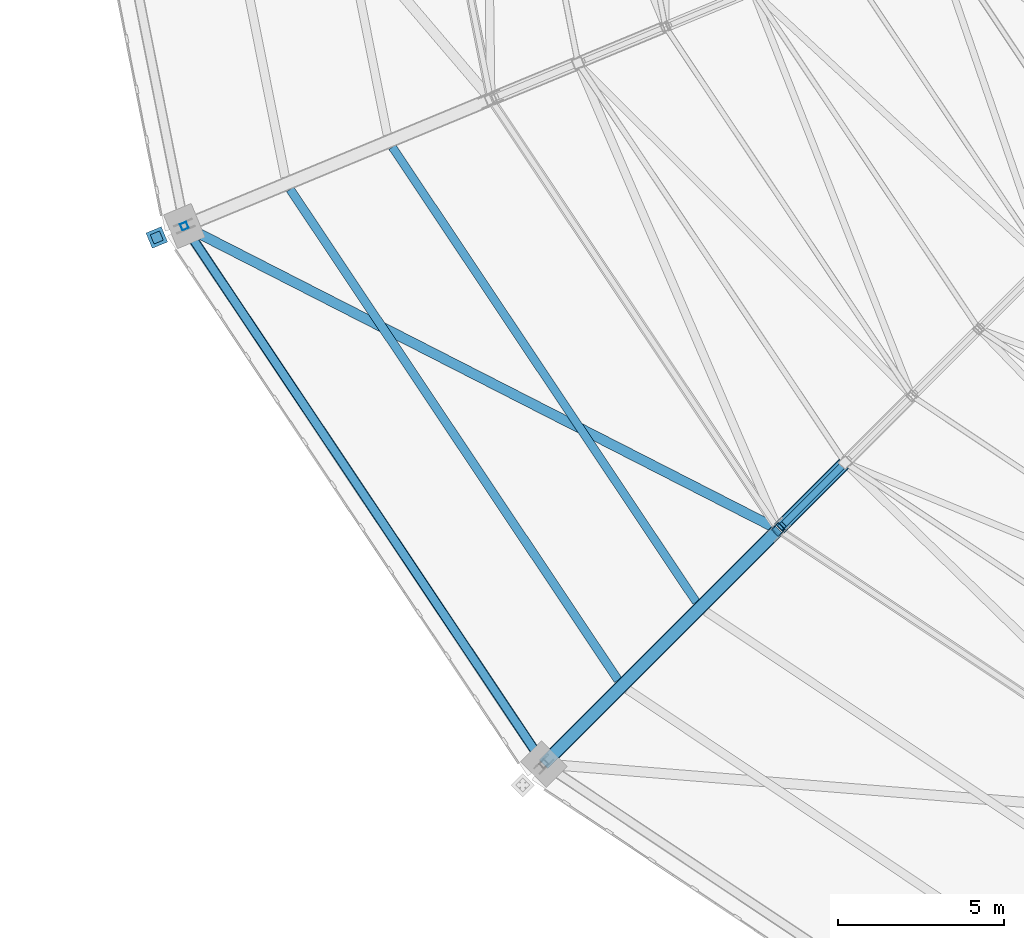
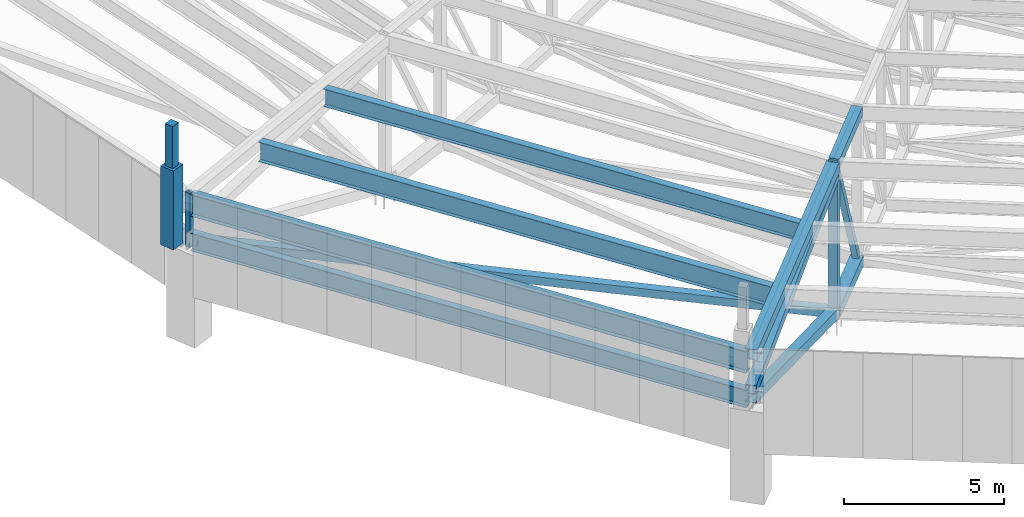
# One storey, part 3 of 278: 9 members, 6 beams.
"""IFC4 building model written with IfcOpenShell, lengths in metres."""

from ifc_helpers import new_model, si_unit, direction, frame, origin, origin_2d, place, context, subcontext, project, spatial, rectangle, hollow_rectangle, i_section, extrude, material, material_profile, profile_set, type_object, element, save


model = new_model("IFC4")

# Units and contexts
model_context = context("Model", 3, precision=1e-05, world=origin(), true_north=direction((0.0, 1.0)))
body_context = subcontext(model_context, "Body", "Model", "MODEL_VIEW")
ifc_project = project(units=[si_unit("LENGTHUNIT", "METRE"), si_unit("AREAUNIT", "SQUARE_METRE"), si_unit("VOLUMEUNIT", "CUBIC_METRE"), si_unit("PLANEANGLEUNIT", "RADIAN"), si_unit("MASSUNIT", "GRAM", prefix="KILO")], contexts=[model_context])

# Site, building, storey
site_placement = place(None, origin())
site = spatial("IfcSite", under=ifc_project, at=site_placement, CompositionType="ELEMENT")
building_placement = place(site_placement, origin())
building = spatial("IfcBuilding", under=site, at=building_placement, Name="Ogive Plaza Stadium", CompositionType="ELEMENT")
storey_placement = place(building_placement, frame((0.0, 0.0, 29.0)))
storey = spatial("IfcBuildingStorey", under=building, at=storey_placement, Name="Roof", CompositionType="ELEMENT", Elevation=29.0)

# Members
ifc_material_1 = material(Name="Concrete C45/55 precast", Category="concrete")
ifc_material_profile_1 = material_profile(ifc_material_1, rectangle(XDim=0.5, YDim=0.5, at=origin_2d()), Name="RC 500x500")
ifc_profile_set_1 = profile_set([ifc_material_profile_1], Name="Concrete C45/55 precast")
member_type_1 = type_object("IfcMemberType", Name="Precast pinnacle 500x500", PredefinedType="POST", material=ifc_profile_set_1)
member_1_placement = place(storey_placement, frame((-81.025390625, -71.978515625, 4.0), z_axis=(0.0, 0.0, 1.0), x_axis=(0.382683432365, -0.923879532511, 0.0)))
element("IfcMember", 1, at=member_1_placement, inside=storey, type_object=member_type_1, Name="PINNACLE R20", PredefinedType="POST", context=body_context, shape_type="SweptSolid", body=[
    extrude(rectangle(XDim=0.5, YDim=0.5, at=origin_2d()), origin(), (0.0, 0.0, 1.0), 3.0),
])
ifc_material_2 = material(Name="Concrete C45/55 precast", Category="concrete")
ifc_material_profile_2 = material_profile(ifc_material_2, rectangle(XDim=0.300048828125, YDim=0.300048828125, at=origin_2d()), Name="RC 300x300")
ifc_profile_set_2 = profile_set([ifc_material_profile_2], Name="Concrete C45/55 precast")
member_type_2 = type_object("IfcMemberType", Name="Precast spire 300x300", PredefinedType="MEMBER", material=ifc_profile_set_2)
member_2_placement = place(storey_placement, frame((-81.025390625, -71.978515625, 7.0), z_axis=(0.0, 0.0, 1.0), x_axis=(0.382683432365, -0.923879532511, 0.0)))
element("IfcMember", 2, at=member_2_placement, inside=storey, type_object=member_type_2, Name="SPIRE R20", PredefinedType="MEMBER", context=body_context, shape_type="SweptSolid", body=[
    extrude(rectangle(XDim=0.300048828125, YDim=0.300048828125, at=origin_2d()), origin(), (0.0, 0.0, 1.0), 1.60009765625),
])
ifc_material_3 = material(Name="Steel ASTM A500 Grade C", Category="steel")
ifc_material_profile_3 = material_profile(ifc_material_3, hollow_rectangle(XDim=0.3046875, YDim=0.3046875, WallThickness=0.0087890625, at=origin_2d()), Name="HSS12X12X3/8")
ifc_profile_set_3 = profile_set([ifc_material_profile_3], Name="Steel ASTM A500 Grade C")
member_type_3 = type_object("IfcMemberType", Name="Roof plan brace HSS12X12X3/8", PredefinedType="BRACE", material=ifc_profile_set_3)
member_3_placement = place(storey_placement, frame((-62.444091796875, -80.70263671875, 0.234130859375), z_axis=(-0.877506938621, 0.448328226309, 0.170245041535), x_axis=(-0.454969988029, -0.890506771447, 0.0)))
element("IfcMember", 3, at=member_3_placement, inside=storey, type_object=member_type_3, Name="ROOF BRACE B19 11", PredefinedType="BRACE", context=body_context, shape_type="SweptSolid", body=[
    extrude(hollow_rectangle(XDim=0.3046875, YDim=0.3046875, WallThickness=0.0087890625, at=origin_2d()), origin(), (0.0, 0.0, 1.0), 19.99072265625),
])
ifc_material_4 = material(Name="Steel ASTM A992 Grade 50", Category="steel")
ifc_material_profile_4 = material_profile(ifc_material_4, i_section(OverallWidth=0.2529296875, OverallDepth=0.678466796875, WebThickness=0.01171875, FlangeThickness=0.016357421875, at=origin_2d()), Name="W27X84")
ifc_profile_set_4 = profile_set([ifc_material_profile_4], Name="Steel ASTM A992 Grade 50")
member_type_4 = type_object("IfcMemberType", Name="Roof plan strut W27X84", PredefinedType="STRUT", material=ifc_profile_set_4)
member_4_placement = place(storey_placement, frame((-69.41015625, -87.773193359375, 3.677734375), z_axis=(-0.555575120146, 0.831466346809, 0.0), x_axis=(-0.831466346809, -0.555575120146, 0.0)))
element("IfcMember", 4, at=member_4_placement, inside=storey, type_object=member_type_4, Name="ROOF STRUT B19 11", PredefinedType="STRUT", context=body_context, shape_type="SweptSolid", body=[
    extrude(i_section(OverallWidth=0.2529296875, OverallDepth=0.678466796875, WebThickness=0.01171875, FlangeThickness=0.016357421875, at=origin_2d()), origin(), (0.0, 0.0, 1.0), 19.3115234375),
])
ifc_material_5 = material(Name="Steel ASTM A992 Grade 50", Category="steel")
ifc_material_profile_5 = material_profile(ifc_material_5, i_section(OverallWidth=0.2529296875, OverallDepth=0.678466796875, WebThickness=0.01171875, FlangeThickness=0.016357421875, at=origin_2d()), Name="W27X84")
ifc_profile_set_5 = profile_set([ifc_material_profile_5], Name="Steel ASTM A992 Grade 50")
member_type_5 = type_object("IfcMemberType", Name="Roof purlin W27X84", PredefinedType="PURLIN", material=ifc_profile_set_5)
member_5_placement = place(storey_placement, frame((-64.753662109375, -82.97314453125, 5.494140625), z_axis=(-0.555570434046, 0.831469477981, 0.0), x_axis=(-0.831469477981, -0.555570434046, 0.0)))
element("IfcMember", 5, at=member_5_placement, inside=storey, type_object=member_type_5, Name="ROOF PURLIN B19 11", PredefinedType="PURLIN", context=body_context, shape_type="SweptSolid", body=[
    extrude(i_section(OverallWidth=0.2529296875, OverallDepth=0.678466796875, WebThickness=0.01171875, FlangeThickness=0.016357421875, at=origin_2d()), origin(), (0.0, 0.0, 1.0), 16.503173828125),
])
ifc_material_6 = material(Name="Steel ASTM A992 Grade 50", Category="steel")
ifc_material_profile_6 = material_profile(ifc_material_6, i_section(OverallWidth=0.26416015625, OverallDepth=0.75, WebThickness=0.011962890625, FlangeThickness=0.015380859375, at=origin_2d()), Name="W30X90")
ifc_profile_set_6 = profile_set([ifc_material_profile_6], Name="Steel ASTM A992 Grade 50")
member_type_6 = type_object("IfcMemberType", Name="Roof purlin W30X90", PredefinedType="PURLIN", material=ifc_profile_set_6)
member_6_placement = place(storey_placement, frame((-67.111328125, -85.3291015625, 5.291748046875), z_axis=(-0.555579732472, 0.831463264893, 0.0), x_axis=(-0.831463264893, -0.555579732472, 0.0)))
element("IfcMember", 6, at=member_6_placement, inside=storey, type_object=member_type_6, Name="ROOF PURLIN B19 12", PredefinedType="PURLIN", context=body_context, shape_type="SweptSolid", body=[
    extrude(i_section(OverallWidth=0.26416015625, OverallDepth=0.75, WebThickness=0.011962890625, FlangeThickness=0.015380859375, at=origin_2d()), origin(), (0.0, 0.0, 1.0), 17.801513671875),
])
ifc_material_7 = material(Name="Steel ASTM A992 Grade 50", Category="steel")
ifc_material_profile_7 = material_profile(ifc_material_7, i_section(OverallWidth=0.2919921875, OverallDepth=0.834716796875, WebThickness=0.013916015625, FlangeThickness=0.018798828125, at=origin_2d()), Name="W33X118")
ifc_profile_set_7 = profile_set([ifc_material_profile_7], Name="Steel ASTM A992 Grade 50")
member_type_7 = type_object("IfcMemberType", Name="Roof purlin W33X118", PredefinedType="PURLIN", material=ifc_profile_set_7)
member_7_placement = place(storey_placement, frame((-69.412353515625, -87.77001953125, 5.082763671875), z_axis=(-0.55556963677, 0.831470010703, 0.0), x_axis=(-0.831470010703, -0.55556963677, 0.0)))
element("IfcMember", 7, at=member_7_placement, inside=storey, type_object=member_type_7, Name="ROOF PURLIN B19 13", PredefinedType="PURLIN", context=body_context, shape_type="SweptSolid", body=[
    extrude(i_section(OverallWidth=0.2919921875, OverallDepth=0.834716796875, WebThickness=0.013916015625, FlangeThickness=0.018798828125, at=origin_2d()), origin(), (0.0, 0.0, 1.0), 19.3037109375),
])

# Beams
ifc_material_8 = material(Name="Steel ASTM A500 Grade C", Category="steel")
ifc_material_profile_8 = material_profile(ifc_material_8, hollow_rectangle(XDim=0.355712890625, YDim=0.355712890625, WallThickness=0.0146484375, at=origin_2d()), Name="HSS14X14X5/8")
ifc_profile_set_8 = profile_set([ifc_material_profile_8], Name="Steel ASTM A500 Grade C")
beam_type_1 = type_object("IfcBeamType", Name="Roof truss back-span bottom chord HSS14X14X5/8", PredefinedType="BEAM", material=ifc_profile_set_8)
beam_1_placement = place(storey_placement, frame((-62.319580078125, -80.819580078125, 0.205810546875), z_axis=(-0.667408831989, -0.667408831989, 0.330349666211), x_axis=(0.707106781187, -0.707106781187, 0.0)))
element("IfcBeam", 8, at=beam_1_placement, inside=storey, type_object=beam_type_1, Name="ROOF TRUSS T19 BOTTOM CHORD 11", PredefinedType="BEAM", context=body_context, shape_type="SweptSolid", body=[
    extrude(hollow_rectangle(XDim=0.355712890625, YDim=0.355712890625, WallThickness=0.0146484375, at=origin_2d()), origin(), (0.0, 0.0, 1.0), 10.4794921875),
])
ifc_material_9 = material(Name="Steel ASTM A500 Grade C", Category="steel")
ifc_material_profile_9 = material_profile(ifc_material_9, hollow_rectangle(XDim=0.406494140625, YDim=0.406494140625, WallThickness=0.01171875, at=origin_2d()), Name="HSS16X16X1/2")
ifc_profile_set_9 = profile_set([ifc_material_profile_9], Name="Steel ASTM A500 Grade C")
beam_type_2 = type_object("IfcBeamType", Name="Roof truss back-span top chord HSS16X16X1/2", PredefinedType="BEAM", material=ifc_profile_set_9)
beam_2_placement = place(storey_placement, frame((-62.319580078125, -80.819580078125, 5.7939453125), z_axis=(-0.706225036151, -0.706225036151, -0.049923908359), x_axis=(0.707106781187, -0.707106781187, 0.0)))
element("IfcBeam", 9, at=beam_2_placement, inside=storey, type_object=beam_type_2, Name="ROOF TRUSS T19 TOP CHORD 11", PredefinedType="BEAM", context=body_context, shape_type="SweptSolid", body=[
    extrude(hollow_rectangle(XDim=0.406494140625, YDim=0.406494140625, WallThickness=0.01171875, at=origin_2d()), origin(), (0.0, 0.0, 1.0), 9.91259765625),
])

# Member
ifc_material_10 = material(Name="Steel ASTM A500 Grade C", Category="steel")
ifc_material_profile_10 = material_profile(ifc_material_10, hollow_rectangle(XDim=0.355712890625, YDim=0.355712890625, WallThickness=0.01171875, at=origin_2d()), Name="HSS14X14X1/2")
ifc_profile_set_10 = profile_set([ifc_material_profile_10], Name="Steel ASTM A500 Grade C")
member_type_8 = type_object("IfcMemberType", Name="Roof truss back-stay HSS14X14X1/2", PredefinedType="BRACE", material=ifc_profile_set_10)
member_8_placement = place(storey_placement, frame((-62.331787109375, -80.831787109375, 5.456787109375), z_axis=(-0.699520899886, -0.699520899886, -0.146085664062), x_axis=(0.707106781187, -0.707106781187, 0.0)))
element("IfcMember", 10, at=member_8_placement, inside=storey, type_object=member_type_8, Name="BACK-STAY T19", PredefinedType="BRACE", context=body_context, shape_type="SweptSolid", body=[
    extrude(hollow_rectangle(XDim=0.355712890625, YDim=0.355712890625, WallThickness=0.01171875, at=origin_2d()), origin(), (0.0, 0.0, 1.0), 10.02392578125),
])

# Beam
ifc_material_11 = material(Name="Steel ASTM A500 Grade C", Category="steel")
ifc_material_profile_11 = material_profile(ifc_material_11, hollow_rectangle(XDim=0.406494140625, YDim=0.406494140625, WallThickness=0.0146484375, at=origin_2d()), Name="HSS16X16X5/8")
ifc_profile_set_11 = profile_set([ifc_material_profile_11], Name="Steel ASTM A500 Grade C")
beam_type_3 = type_object("IfcBeamType", Name="Roof truss bottom chord HSS16X16X5/8", PredefinedType="BEAM", material=ifc_profile_set_11)
beam_3_placement = place(storey_placement, frame((-60.304443359375, -78.804443359375, 0.266357421875), z_axis=(-0.706927078197, -0.706927078197, -0.02254356282), x_axis=(0.707106781187, -0.707106781187, 0.0)))
element("IfcBeam", 11, at=beam_3_placement, inside=storey, type_object=beam_type_3, Name="ROOF TRUSS T19 BOTTOM CHORD 10", PredefinedType="BEAM", context=body_context, shape_type="SweptSolid", body=[
    extrude(hollow_rectangle(XDim=0.406494140625, YDim=0.406494140625, WallThickness=0.0146484375, at=origin_2d()), origin(), (0.0, 0.0, 1.0), 2.750732421875),
])

# Member
ifc_material_12 = material(Name="Steel ASTM A500 Grade C", Category="steel")
ifc_material_profile_12 = material_profile(ifc_material_12, hollow_rectangle(XDim=0.203125, YDim=0.203125, WallThickness=0.0087890625, at=origin_2d()), Name="HSS8X8X3/8")
ifc_profile_set_12 = profile_set([ifc_material_profile_12], Name="Steel ASTM A500 Grade C")
member_type_9 = type_object("IfcMemberType", Name="Roof truss diagonal HSS8X8X3/8", PredefinedType="BRACE", material=ifc_profile_set_12)
member_9_placement = place(storey_placement, frame((-60.376708984375, -78.876708984375, 0.470703125), z_axis=(-0.31215123017, -0.31215123017, 0.897286586887), x_axis=(0.707106781187, -0.707106781187, 0.0)))
element("IfcMember", 12, at=member_9_placement, inside=storey, type_object=member_type_9, Name="ROOF TRUSS T19 DIAGONAL 10", PredefinedType="BRACE", context=body_context, shape_type="SweptSolid", body=[
    extrude(hollow_rectangle(XDim=0.203125, YDim=0.203125, WallThickness=0.0087890625, at=origin_2d()), origin(), (0.0, 0.0, 1.0), 5.765869140625),
])

# Beams
ifc_material_13 = material(Name="Steel ASTM A500 Grade C", Category="steel")
ifc_material_profile_13 = material_profile(ifc_material_13, hollow_rectangle(XDim=0.3046875, YDim=0.3046875, WallThickness=0.01171875, at=origin_2d()), Name="HSS12X12X1/2")
ifc_profile_set_13 = profile_set([ifc_material_profile_13], Name="Steel ASTM A500 Grade C")
beam_type_4 = type_object("IfcBeamType", Name="Roof truss post HSS12X12X1/2", PredefinedType="BEAM", material=ifc_profile_set_13)
beam_4_placement = place(storey_placement, frame((-62.2841796875, -80.7841796875, -0.06005859375), z_axis=(0.0, 0.0, 1.0), x_axis=(0.707106781187, -0.707106781187, 0.0)))
element("IfcBeam", 13, at=beam_4_placement, inside=storey, type_object=beam_type_4, Name="ROOF TRUSS T19 POST 11", PredefinedType="BEAM", context=body_context, shape_type="SweptSolid", body=[
    extrude(hollow_rectangle(XDim=0.3046875, YDim=0.3046875, WallThickness=0.01171875, at=origin_2d()), origin(), (0.0, 0.0, 1.0), 6.06005859375),
])
ifc_material_14 = material(Name="Steel ASTM A500 Grade C", Category="steel")
ifc_material_profile_14 = material_profile(ifc_material_14, hollow_rectangle(XDim=0.203125, YDim=0.203125, WallThickness=0.0087890625, at=origin_2d()), Name="HSS8X8X3/8")
ifc_profile_set_14 = profile_set([ifc_material_profile_14], Name="Steel ASTM A500 Grade C")
beam_type_5 = type_object("IfcBeamType", Name="Roof truss post HSS8X8X3/8", PredefinedType="BEAM", material=ifc_profile_set_14)
beam_5_placement = place(storey_placement, frame((-80.194091796875, -71.63427734375, 3.43994140625), z_axis=(0.0, 0.0, 1.0), x_axis=(0.382683432365, -0.923879532511, 0.0)))
element("IfcBeam", 14, at=beam_5_placement, inside=storey, type_object=beam_type_5, Name="ROOF TRUSS T20 POST 12", PredefinedType="BEAM", context=body_context, shape_type="SweptSolid", body=[
    extrude(hollow_rectangle(XDim=0.203125, YDim=0.203125, WallThickness=0.0087890625, at=origin_2d()), origin(), (0.0, 0.0, 1.0), 2.06005859375),
])
ifc_material_15 = material(Name="Steel ASTM A500 Grade C", Category="steel")
ifc_material_profile_15 = material_profile(ifc_material_15, hollow_rectangle(XDim=0.355712890625, YDim=0.355712890625, WallThickness=0.01171875, at=origin_2d()), Name="HSS14X14X1/2")
ifc_profile_set_15 = profile_set([ifc_material_profile_15], Name="Steel ASTM A500 Grade C")
beam_type_6 = type_object("IfcBeamType", Name="Roof truss top chord HSS14X14X1/2", PredefinedType="BEAM", material=ifc_profile_set_15)
beam_6_placement = place(storey_placement, frame((-60.304443359375, -78.804443359375, 5.9619140625), z_axis=(-0.706225209818, -0.706225209818, -0.049918994743), x_axis=(0.707106781187, -0.707106781187, 0.0)))
element("IfcBeam", 15, at=beam_6_placement, inside=storey, type_object=beam_type_6, Name="ROOF TRUSS T19 TOP CHORD 10", PredefinedType="BEAM", context=body_context, shape_type="SweptSolid", body=[
    extrude(hollow_rectangle(XDim=0.355712890625, YDim=0.355712890625, WallThickness=0.01171875, at=origin_2d()), origin(), (0.0, 0.0, 1.0), 2.75341796875),
])

save(model, "model.ifc")
